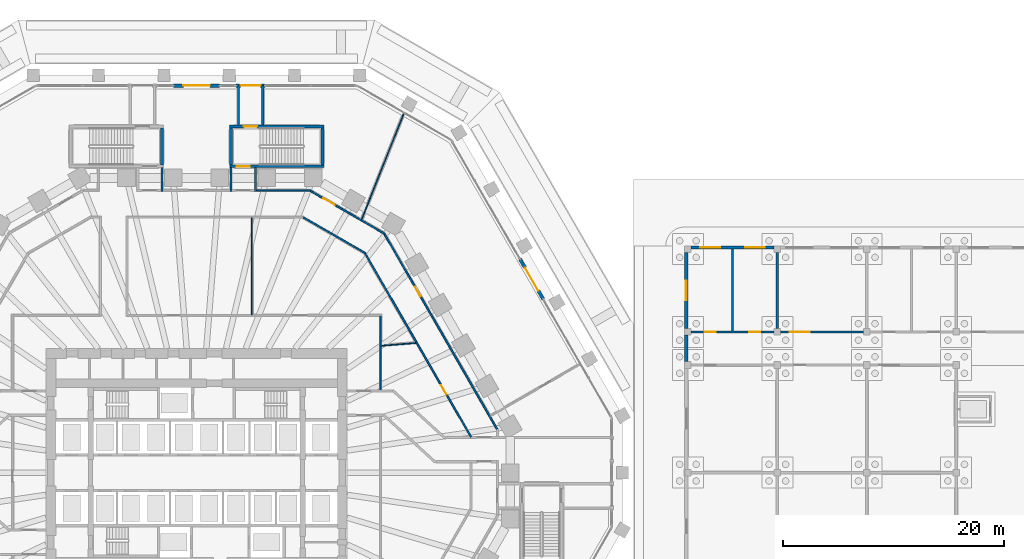
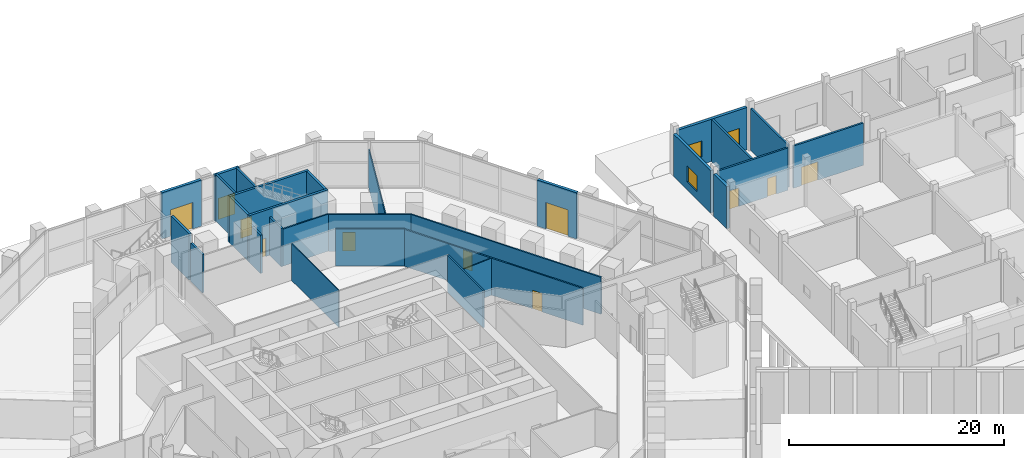
# One storey, part 25 of 44: 29 walls, 11 doors, 3 windows, 14 openings.
"""IFC4 building model written with IfcOpenShell, lengths in metres."""

from ifc_helpers import new_model, si_unit, direction, frame, frame_2d, origin, place, context, subcontext, project, spatial, rectangle, extrude, material, layer, layer_set, type_object, element, fill, save


model = new_model("IFC4")

# Units and contexts
model_context = context("Model", 3, precision=1e-05, world=origin(), true_north=direction((0.0, 1.0)))
body_context = subcontext(model_context, "Body", "Model", "MODEL_VIEW")
ifc_project = project(units=[si_unit("LENGTHUNIT", "METRE"), si_unit("AREAUNIT", "SQUARE_METRE"), si_unit("VOLUMEUNIT", "CUBIC_METRE"), si_unit("PLANEANGLEUNIT", "RADIAN"), si_unit("MASSUNIT", "GRAM", prefix="KILO")], contexts=[model_context])

# Site, building, storey
site_placement = place(None, origin())
site = spatial("IfcSite", under=ifc_project, at=site_placement, CompositionType="ELEMENT")
building_placement = place(site_placement, origin())
building = spatial("IfcBuilding", under=site, at=building_placement, Name="Frailejon Research Tower", CompositionType="ELEMENT")
storey_placement = place(building_placement, origin())
storey = spatial("IfcBuildingStorey", under=building, at=storey_placement, Name="L00", CompositionType="ELEMENT", Elevation=0.0)

# Wall
ifc_material_1 = material(Name="Gypsum board and masonry partition", Category="masonry")
ifc_layer_1 = layer(ifc_material_1, 0.14990234375)
ifc_layer_set_1 = layer_set([ifc_layer_1], Name="Corridor wall EI 60, gypsum on steel studs 150")
wall_type_1 = type_object("IfcWallType", Name="Corridor wall EI 60, gypsum on steel studs 150", PredefinedType="PARTITIONING", material=ifc_layer_set_1)
wall_1_placement = place(storey_placement, frame((16.64990234375, 7.5, 0.0), z_axis=(0.0, 0.0, 1.0), x_axis=(0.0, 1.0, 0.0)))
element("IfcWall", 1, at=wall_1_placement, inside=storey, type_object=wall_type_1, Name="T:IW:L00:002", PredefinedType="PARTITIONING", context=body_context, shape_type="SweptSolid", body=[
    extrude(rectangle(XDim=6.675048828125, YDim=0.14990234375, at=frame_2d((3.33740234375, 0.0))), origin(), (0.0, 0.0, 1.0), 4.199951171875),
])

# Wall, opening, door
wall_2_placement = place(storey_placement, frame((17.028564453125, 21.605712890625, 0.0), z_axis=(0.0, 0.0, 1.0), x_axis=(0.499999139641, -0.866025900512, 0.0)))
wall_2 = element("IfcWall", 2, at=wall_2_placement, inside=storey, type_object=wall_type_1, Name="T:IW:L00:008", PredefinedType="PARTITIONING", context=body_context, shape_type="SweptSolid", body=[
    extrude(rectangle(XDim=20.3935546875, YDim=0.14990234375, at=frame_2d((10.19677734375, 0.0))), origin(), (0.0, 0.0, 1.0), 4.199951171875),
])
opening_1_placement = place(wall_2_placement, frame((5.5078125, 0.0, 0.0)))
opening_1 = element("IfcOpeningElement", 3, at=opening_1_placement, cuts=wall_2, Name="Opening D1003", PredefinedType="OPENING", context=body_context, shape_type="SweptSolid", body=[
    extrude(rectangle(XDim=1.0, YDim=2.10009765625, at=frame_2d((0.5, 1.050048828125))), frame((0.0, 0.0849609375, 0.0), z_axis=(0.0, -1.0, 0.0), x_axis=(1.0, 0.0, 0.0)), (0.0, 0.0, 1.0), 0.169921875),
])
ifc_material_2 = material(Name="Timber door leaf", Category="wood")
door_type_1 = type_object("IfcDoorType", Name="Door single leaf, timber, steel frame 1000", OperationType="NOTDEFINED", PredefinedType="DOOR", material=ifc_material_2)
door_1_placement = place(opening_1_placement, origin())
door_1 = element("IfcDoor", 4, at=door_1_placement, inside=storey, type_object=door_type_1, Name="D1003", OperationType="SINGLE_SWING_RIGHT", OverallHeight=2.10009765625, OverallWidth=1.0, PredefinedType="DOOR", context=body_context, shape_type="SweptSolid", body=[
    extrude(rectangle(XDim=1.0, YDim=2.10009765625, at=frame_2d((0.5, 1.050048828125))), frame((0.0, 0.02490234375, 0.0), z_axis=(0.0, -1.0, 0.0), x_axis=(1.0, 0.0, 0.0)), (0.0, 0.0, 1.0), 0.050048828125),
])
fill(opening_1, door_1)

wall_3_placement = place(storey_placement, frame((15.271728515625, 19.8486328125, 0.0), z_axis=(0.0, 0.0, 1.0), x_axis=(0.499997883582, -0.866026625696, 0.0)))
wall_3 = element("IfcWall", 5, at=wall_3_placement, inside=storey, type_object=wall_type_1, Name="T:IW:L00:011", PredefinedType="PARTITIONING", context=body_context, shape_type="SweptSolid", body=[
    extrude(rectangle(XDim=19.18212890625, YDim=0.14990234375, at=frame_2d((9.591064453125, 0.0))), origin(), (0.0, 0.0, 1.0), 4.199951171875),
])
opening_2_placement = place(wall_3_placement, frame((13.76611328125, 0.0, 0.0)))
opening_2 = element("IfcOpeningElement", 6, at=opening_2_placement, cuts=wall_3, Name="Opening D1002", PredefinedType="OPENING", context=body_context, shape_type="SweptSolid", body=[
    extrude(rectangle(XDim=1.0, YDim=2.10009765625, at=frame_2d((0.5, 1.050048828125))), frame((0.0, 0.0849609375, 0.0), z_axis=(0.0, -1.0, 0.0), x_axis=(1.0, 0.0, 0.0)), (0.0, 0.0, 1.0), 0.169921875),
])
door_2_placement = place(opening_2_placement, origin())
door_2 = element("IfcDoor", 7, at=door_2_placement, inside=storey, type_object=door_type_1, Name="D1002", OperationType="SINGLE_SWING_RIGHT", OverallHeight=2.10009765625, OverallWidth=1.0, PredefinedType="DOOR", context=body_context, shape_type="SweptSolid", body=[
    extrude(rectangle(XDim=1.0, YDim=2.10009765625, at=frame_2d((0.5, 1.050048828125))), frame((0.0, 0.02490234375, 0.0), z_axis=(0.0, -1.0, 0.0), x_axis=(1.0, 0.0, 0.0)), (0.0, 0.0, 1.0), 0.050048828125),
])
fill(opening_2, door_2)

wall_4_placement = place(storey_placement, frame((10.336669921875, 25.512451171875, 0.0), z_axis=(0.0, 0.0, 1.0), x_axis=(0.866023143435, -0.50000391502, 0.0)))
wall_4 = element("IfcWall", 8, at=wall_4_placement, inside=storey, type_object=wall_type_1, Name="T:IW:L00:012", PredefinedType="PARTITIONING", context=body_context, shape_type="SweptSolid", body=[
    extrude(rectangle(XDim=7.7587890625, YDim=0.14990234375, at=frame_2d((3.87939453125, 0.0))), origin(), (0.0, 0.0, 1.0), 4.199951171875),
])
opening_3_placement = place(wall_4_placement, frame((1.31884765625, 0.0, 0.0)))
opening_3 = element("IfcOpeningElement", 9, at=opening_3_placement, cuts=wall_4, Name="Opening D1005", PredefinedType="OPENING", context=body_context, shape_type="SweptSolid", body=[
    extrude(rectangle(XDim=1.199951171875, YDim=2.10009765625, at=frame_2d((0.60009765625, 1.050048828125))), frame((0.0, 0.0849609375, 0.0), z_axis=(0.0, -1.0, 0.0), x_axis=(1.0, 0.0, 0.0)), (0.0, 0.0, 1.0), 0.169921875),
])
ifc_material_3 = material(Name="Timber door leaf", Category="wood")
door_type_2 = type_object("IfcDoorType", Name="Door single leaf, timber, steel frame 1200", OperationType="NOTDEFINED", PredefinedType="DOOR", material=ifc_material_3)
door_3_placement = place(opening_3_placement, origin())
door_3 = element("IfcDoor", 10, at=door_3_placement, inside=storey, type_object=door_type_2, Name="D1005", OperationType="DOUBLE_DOOR_SINGLE_SWING", OverallHeight=2.10009765625, OverallWidth=1.199951171875, PredefinedType="DOOR", context=body_context, shape_type="SweptSolid", body=[
    extrude(rectangle(XDim=1.199951171875, YDim=2.10009765625, at=frame_2d((0.60009765625, 1.050048828125))), frame((0.0, 0.02490234375, 0.0), z_axis=(0.0, -1.0, 0.0), x_axis=(1.0, 0.0, 0.0)), (0.0, 0.0, 1.0), 0.050048828125),
])
fill(opening_3, door_3)

# Walls
wall_5_placement = place(storey_placement, frame((9.693603515625, 23.112548828125, 0.0), z_axis=(0.0, 0.0, 1.0), x_axis=(0.866024786089, -0.500001069878, 0.0)))
element("IfcWall", 11, at=wall_5_placement, inside=storey, type_object=wall_type_1, Name="T:IW:L00:013", PredefinedType="PARTITIONING", context=body_context, shape_type="SweptSolid", body=[
    extrude(rectangle(XDim=6.47265625, YDim=0.14990234375, at=frame_2d((3.236328125, 0.0))), origin(), (0.0, 0.0, 1.0), 4.199951171875),
])
wall_6_placement = place(storey_placement, frame((5.431884765625, 25.550048828125, 0.0), z_axis=(0.0, 0.0, 1.0), x_axis=(1.0, 0.0, 0.0)))
element("IfcWall", 12, at=wall_6_placement, inside=storey, type_object=wall_type_1, Name="T:IW:L00:018", PredefinedType="PARTITIONING", context=body_context, shape_type="SweptSolid", body=[
    extrude(rectangle(XDim=4.914794921875, YDim=0.14990234375, at=frame_2d((2.45751953125, 0.0))), origin(), (0.0, 0.0, 1.0), 4.199951171875),
])
ifc_material_4 = material(Name="Gypsum board and masonry partition", Category="masonry")
ifc_layer_2 = layer(ifc_material_4, 0.199951171875)
ifc_layer_set_2 = layer_set([ifc_layer_2], Name="Enclosure wall EI 120, blockwork 200")
wall_type_2 = type_object("IfcWallType", Name="Enclosure wall EI 120, blockwork 200", PredefinedType="PARTITIONING", material=ifc_layer_set_2)
wall_7_placement = place(storey_placement, frame((5.33203125, 25.47509765625, 0.0), z_axis=(0.0, 0.0, 1.0), x_axis=(0.0, 1.0, 0.0)))
element("IfcWall", 13, at=wall_7_placement, inside=storey, type_object=wall_type_2, Name="T:IW:L00:070", PredefinedType="PARTITIONING", context=body_context, shape_type="SweptSolid", body=[
    extrude(rectangle(XDim=2.14990234375, YDim=0.199951171875, at=frame_2d((1.074951171875, 0.0))), origin(), (0.0, 0.0, 1.0), 4.35009765625),
])
wall_8_placement = place(storey_placement, frame((5.9970703125, 31.47509765625, 0.0), z_axis=(0.0, 0.0, 1.0), x_axis=(0.0, 1.0, 0.0)))
element("IfcWall", 14, at=wall_8_placement, inside=storey, type_object=wall_type_2, Name="T:IW:L00:072", PredefinedType="PARTITIONING", context=body_context, shape_type="SweptSolid", body=[
    extrude(rectangle(XDim=3.574951171875, YDim=0.199951171875, at=frame_2d((1.78759765625, 0.0))), origin(), (0.0, 0.0, 1.0), 5.25),
])
for number, where, z_axis, x_axis, name in (
    (15, (-3.132080078125, 25.47509765625, 0.0), (0.0, 0.0, 1.0), (0.0, 1.0, 0.0), "T:IW:L00:084"),
    (16, (3.132080078125, 25.47509765625, 0.0), (0.0, 0.0, 1.0), (0.0, 1.0, 0.0), "T:IW:L00:088"),
):
    element("IfcWall", number, at=place(storey_placement, frame(where, z_axis=z_axis, x_axis=x_axis)), inside=storey, type_object=wall_type_2, Name=name, PredefinedType="PARTITIONING", context=body_context, shape_type="SweptSolid", body=[
        extrude(rectangle(XDim=2.14990234375, YDim=0.199951171875, at=frame_2d((1.074951171875, 0.0))), origin(), (0.0, 0.0, 1.0), 4.35009765625),
    ])
wall_9_placement = place(storey_placement, frame((3.797119140625, 31.47509765625, 0.0), z_axis=(0.0, 0.0, 1.0), x_axis=(0.0, 1.0, 0.0)))
element("IfcWall", 17, at=wall_9_placement, inside=storey, type_object=wall_type_2, Name="T:IW:L00:090", PredefinedType="PARTITIONING", context=body_context, shape_type="SweptSolid", body=[
    extrude(rectangle(XDim=3.574951171875, YDim=0.199951171875, at=frame_2d((1.78759765625, 0.0))), origin(), (0.0, 0.0, 1.0), 5.25),
])
ifc_material_5 = material(Name="Insulated masonry cavity wall", Category="masonry")
ifc_layer_3 = layer(ifc_material_5, 0.300048828125)
ifc_layer_set_3 = layer_set([ifc_layer_3], Name="HC facade wall 300")
wall_type_3 = type_object("IfcWallType", Name="HC facade wall 300", PredefinedType="SOLIDWALL", material=ifc_layer_set_3)
wall_10_placement = place(storey_placement, frame((44.35009765625, 10.050048828125, 0.0), z_axis=(0.0, 0.0, 1.0), x_axis=(0.0, 1.0, 0.0)))
element("IfcWall", 18, at=wall_10_placement, inside=storey, type_object=wall_type_3, Name="HC facade wall", PredefinedType="SOLIDWALL", context=body_context, shape_type="SweptSolid", body=[
    extrude(rectangle(XDim=2.39990234375, YDim=0.300048828125, at=frame_2d((1.199951171875, 0.0))), origin(), (0.0, 0.0, 1.0), 4.800048828125),
])

# Wall, opening, window
wall_11_placement = place(storey_placement, frame((44.35009765625, 13.050048828125, 0.0), z_axis=(0.0, 0.0, 1.0), x_axis=(0.0, 1.0, 0.0)))
wall_11 = element("IfcWall", 19, at=wall_11_placement, inside=storey, type_object=wall_type_3, Name="HC facade wall", PredefinedType="SOLIDWALL", context=body_context, shape_type="SweptSolid", body=[
    extrude(rectangle(XDim=6.89990234375, YDim=0.300048828125, at=frame_2d((3.449951171875, 0.0))), origin(), (0.0, 0.0, 1.0), 4.800048828125),
])
opening_4_placement = place(wall_11_placement, frame((2.550048828125, 0.0, 0.89990234375)))
opening_4 = element("IfcOpeningElement", 20, at=opening_4_placement, cuts=wall_11, Name="Opening HW015", PredefinedType="OPENING", context=body_context, shape_type="SweptSolid", body=[
    extrude(rectangle(XDim=1.800048828125, YDim=1.800048828125, at=frame_2d((0.89990234375, 0.89990234375))), frame((0.0, 0.159912109375, 0.0), z_axis=(0.0, -1.0, 0.0), x_axis=(1.0, 0.0, 0.0)), (0.0, 0.0, 1.0), 0.320068359375),
])
ifc_material_6 = material(Name="Aluminium framed double glazing", Category="aluminium")
window_type = type_object("IfcWindowType", Name="HC window 1800x1800", PartitioningType="SINGLE_PANEL", PredefinedType="WINDOW", material=ifc_material_6)
window_1_placement = place(opening_4_placement, origin())
window_1 = element("IfcWindow", 21, at=window_1_placement, inside=storey, type_object=window_type, Name="Window HW015 (HCW1)", OverallHeight=1.800048828125, OverallWidth=1.800048828125, PartitioningType="SINGLE_PANEL", PredefinedType="WINDOW", context=body_context, shape_type="SweptSolid", body=[
    extrude(rectangle(XDim=1.800048828125, YDim=1.800048828125, at=frame_2d((0.89990234375, 0.89990234375))), frame((0.0, 0.030029296875, 0.0), z_axis=(0.0, -1.0, 0.0), x_axis=(1.0, 0.0, 0.0)), (0.0, 0.0, 1.0), 0.06005859375),
])
fill(opening_4, window_1)

# Wall, openings, windows
wall_12_placement = place(storey_placement, frame((44.800048828125, 20.39990234375, 0.0), z_axis=(0.0, 0.0, 1.0), x_axis=(1.0, 0.0, 0.0)))
wall_12 = element("IfcWall", 22, at=wall_12_placement, inside=storey, type_object=wall_type_3, Name="HC facade wall", PredefinedType="SOLIDWALL", context=body_context, shape_type="SweptSolid", body=[
    extrude(rectangle(XDim=7.5, YDim=0.300048828125, at=frame_2d((3.75, 0.0))), origin(), (0.0, 0.0, 1.0), 4.800048828125),
])
opening_5_placement = place(wall_12_placement, frame((0.824951171875, 0.0, 0.89990234375)))
opening_5 = element("IfcOpeningElement", 23, at=opening_5_placement, cuts=wall_12, Name="Opening HW014", PredefinedType="OPENING", context=body_context, shape_type="SweptSolid", body=[
    extrude(rectangle(XDim=1.800048828125, YDim=1.800048828125, at=frame_2d((0.89990234375, 0.89990234375))), frame((0.0, 0.159912109375, 0.0), z_axis=(0.0, -1.0, 0.0), x_axis=(1.0, 0.0, 0.0)), (0.0, 0.0, 1.0), 0.320068359375),
])
opening_6_placement = place(wall_12_placement, frame((4.875, 0.0, 0.89990234375)))
opening_6 = element("IfcOpeningElement", 24, at=opening_6_placement, cuts=wall_12, Name="Opening HW016", PredefinedType="OPENING", context=body_context, shape_type="SweptSolid", body=[
    extrude(rectangle(XDim=1.800048828125, YDim=1.800048828125, at=frame_2d((0.89990234375, 0.89990234375))), frame((0.0, 0.159912109375, 0.0), z_axis=(0.0, -1.0, 0.0), x_axis=(1.0, 0.0, 0.0)), (0.0, 0.0, 1.0), 0.320068359375),
])
window_2_placement = place(opening_5_placement, origin())
window_2 = element("IfcWindow", 25, at=window_2_placement, inside=storey, type_object=window_type, Name="Window HW014 (HCW1)", OverallHeight=1.800048828125, OverallWidth=1.800048828125, PartitioningType="SINGLE_PANEL", PredefinedType="WINDOW", context=body_context, shape_type="SweptSolid", body=[
    extrude(rectangle(XDim=1.800048828125, YDim=1.800048828125, at=frame_2d((0.89990234375, 0.89990234375))), frame((0.0, 0.030029296875, 0.0), z_axis=(0.0, -1.0, 0.0), x_axis=(1.0, 0.0, 0.0)), (0.0, 0.0, 1.0), 0.06005859375),
])
fill(opening_5, window_2)
window_3_placement = place(opening_6_placement, origin())
window_3 = element("IfcWindow", 26, at=window_3_placement, inside=storey, type_object=window_type, Name="Window HW016 (HCW1)", OverallHeight=1.800048828125, OverallWidth=1.800048828125, PartitioningType="SINGLE_PANEL", PredefinedType="WINDOW", context=body_context, shape_type="SweptSolid", body=[
    extrude(rectangle(XDim=1.800048828125, YDim=1.800048828125, at=frame_2d((0.89990234375, 0.89990234375))), frame((0.0, 0.030029296875, 0.0), z_axis=(0.0, -1.0, 0.0), x_axis=(1.0, 0.0, 0.0)), (0.0, 0.0, 1.0), 0.06005859375),
])
fill(opening_6, window_3)

# Walls
ifc_material_7 = material(Name="Masonry blockwork partition", Category="masonry")
ifc_layer_4 = layer(ifc_material_7, 0.199951171875)
ifc_layer_set_4 = layer_set([ifc_layer_4], Name="HC partition 200")
wall_type_4 = type_object("IfcWallType", Name="HC partition 200", PredefinedType="PARTITIONING", material=ifc_layer_set_4)
wall_13_placement = place(storey_placement, frame((48.550048828125, 12.85009765625, 0.0), z_axis=(0.0, 0.0, 1.0), x_axis=(0.0, 1.0, 0.0)))
element("IfcWall", 27, at=wall_13_placement, inside=storey, type_object=wall_type_4, Name="HC partition", PredefinedType="PARTITIONING", context=body_context, shape_type="SweptSolid", body=[
    extrude(rectangle(XDim=7.39990234375, YDim=0.199951171875, at=frame_2d((3.699951171875, 0.0))), origin(), (0.0, 0.0, 1.0), 4.800048828125),
])
wall_14_placement = place(storey_placement, frame((52.60009765625, 13.050048828125, 0.0), z_axis=(0.0, 0.0, 1.0), x_axis=(0.0, 1.0, 0.0)))
element("IfcWall", 28, at=wall_14_placement, inside=storey, type_object=wall_type_4, Name="HC partition", PredefinedType="PARTITIONING", context=body_context, shape_type="SweptSolid", body=[
    extrude(rectangle(XDim=6.89990234375, YDim=0.199951171875, at=frame_2d((3.449951171875, 0.0))), origin(), (0.0, 0.0, 1.0), 4.800048828125),
])

# Wall, openings, doors
wall_15_placement = place(storey_placement, frame((44.800048828125, 12.75, 0.0), z_axis=(0.0, 0.0, 1.0), x_axis=(1.0, 0.0, 0.0)))
wall_15 = element("IfcWall", 29, at=wall_15_placement, inside=storey, type_object=wall_type_4, Name="HC partition", PredefinedType="PARTITIONING", context=body_context, shape_type="SweptSolid", body=[
    extrude(rectangle(XDim=7.5, YDim=0.199951171875, at=frame_2d((3.75, 0.0))), origin(), (0.0, 0.0, 1.0), 4.800048828125),
])
opening_7_placement = place(wall_15_placement, frame((1.22509765625, 0.0, 0.0)))
opening_7 = element("IfcOpeningElement", 30, at=opening_7_placement, cuts=wall_15, Name="Opening HD022", PredefinedType="OPENING", context=body_context, shape_type="SweptSolid", body=[
    extrude(rectangle(XDim=1.0, YDim=2.10009765625, at=frame_2d((0.5, 1.050048828125))), frame((0.0, 0.10986328125, 0.0), z_axis=(0.0, -1.0, 0.0), x_axis=(1.0, 0.0, 0.0)), (0.0, 0.0, 1.0), 0.219970703125),
])
opening_8_placement = place(wall_15_placement, frame((5.27490234375, 0.0, 0.0)))
opening_8 = element("IfcOpeningElement", 31, at=opening_8_placement, cuts=wall_15, Name="Opening HD023", PredefinedType="OPENING", context=body_context, shape_type="SweptSolid", body=[
    extrude(rectangle(XDim=1.0, YDim=2.10009765625, at=frame_2d((0.5, 1.050048828125))), frame((0.0, 0.10986328125, 0.0), z_axis=(0.0, -1.0, 0.0), x_axis=(1.0, 0.0, 0.0)), (0.0, 0.0, 1.0), 0.219970703125),
])
ifc_material_8 = material(Name="Timber veneered fire door leaf", Category="wood")
door_type_3 = type_object("IfcDoorType", Name="HC door 1000 left", OperationType="SINGLE_SWING_LEFT", PredefinedType="DOOR", material=ifc_material_8)
door_4_placement = place(opening_7_placement, origin())
door_4 = element("IfcDoor", 32, at=door_4_placement, inside=storey, type_object=door_type_3, Name="Door HD022", OperationType="SINGLE_SWING_LEFT", OverallHeight=2.10009765625, OverallWidth=1.0, PredefinedType="DOOR", context=body_context, shape_type="SweptSolid", body=[
    extrude(rectangle(XDim=1.0, YDim=2.10009765625, at=frame_2d((0.5, 1.050048828125))), frame((0.0, 0.02490234375, 0.0), z_axis=(0.0, -1.0, 0.0), x_axis=(1.0, 0.0, 0.0)), (0.0, 0.0, 1.0), 0.050048828125),
])
fill(opening_7, door_4)
ifc_material_9 = material(Name="Timber veneered fire door leaf", Category="wood")
door_type_4 = type_object("IfcDoorType", Name="HC door 1000 right", OperationType="SINGLE_SWING_RIGHT", PredefinedType="DOOR", material=ifc_material_9)
door_5_placement = place(opening_8_placement, origin())
door_5 = element("IfcDoor", 33, at=door_5_placement, inside=storey, type_object=door_type_4, Name="Door HD023", OperationType="SINGLE_SWING_RIGHT", OverallHeight=2.10009765625, OverallWidth=1.0, PredefinedType="DOOR", context=body_context, shape_type="SweptSolid", body=[
    extrude(rectangle(XDim=1.0, YDim=2.10009765625, at=frame_2d((0.5, 1.050048828125))), frame((0.0, 0.02490234375, 0.0), z_axis=(0.0, -1.0, 0.0), x_axis=(1.0, 0.0, 0.0)), (0.0, 0.0, 1.0), 0.050048828125),
])
fill(opening_8, door_5)

# Wall, opening, door
wall_16_placement = place(storey_placement, frame((52.89990234375, 12.75, 0.0), z_axis=(0.0, 0.0, 1.0), x_axis=(1.0, 0.0, 0.0)))
wall_16 = element("IfcWall", 34, at=wall_16_placement, inside=storey, type_object=wall_type_4, Name="HC partition", PredefinedType="PARTITIONING", context=body_context, shape_type="SweptSolid", body=[
    extrude(rectangle(XDim=7.5, YDim=0.199951171875, at=frame_2d((3.75, 0.0))), origin(), (0.0, 0.0, 1.0), 4.800048828125),
])
opening_9_placement = place(wall_16_placement, frame((0.824951171875, 0.0, 0.0)))
opening_9 = element("IfcOpeningElement", 35, at=opening_9_placement, cuts=wall_16, Name="Opening HD024", PredefinedType="OPENING", context=body_context, shape_type="SweptSolid", body=[
    extrude(rectangle(XDim=1.800048828125, YDim=2.10009765625, at=frame_2d((0.89990234375, 1.050048828125))), frame((0.0, 0.10986328125, 0.0), z_axis=(0.0, -1.0, 0.0), x_axis=(1.0, 0.0, 0.0)), (0.0, 0.0, 1.0), 0.219970703125),
])
ifc_material_10 = material(Name="Timber veneered fire door leaf", Category="wood")
door_type_5 = type_object("IfcDoorType", Name="HC double door 1800", OperationType="DOUBLE_DOOR_SINGLE_SWING", PredefinedType="DOOR", material=ifc_material_10)
door_6_placement = place(opening_9_placement, origin())
door_6 = element("IfcDoor", 36, at=door_6_placement, inside=storey, type_object=door_type_5, Name="Door HD024", OperationType="DOUBLE_DOOR_SINGLE_SWING", OverallHeight=2.10009765625, OverallWidth=1.800048828125, PredefinedType="DOOR", context=body_context, shape_type="SweptSolid", body=[
    extrude(rectangle(XDim=1.800048828125, YDim=2.10009765625, at=frame_2d((0.89990234375, 1.050048828125))), frame((0.0, 0.02490234375, 0.0), z_axis=(0.0, -1.0, 0.0), x_axis=(1.0, 0.0, 0.0)), (0.0, 0.0, 1.0), 0.050048828125),
])
fill(opening_9, door_6)

# Walls
ifc_material_11 = material(Name="Gypsum board and masonry partition", Category="masonry")
ifc_layer_5 = layer(ifc_material_11, 0.10009765625)
ifc_layer_set_5 = layer_set([ifc_layer_5], Name="Partition, gypsum on steel studs 100")
wall_type_5 = type_object("IfcWallType", Name="Partition, gypsum on steel studs 100", PredefinedType="PARTITIONING", material=ifc_layer_set_5)
wall_17_placement = place(storey_placement, frame((16.724853515625, 11.494873046875, 0.0), z_axis=(0.0, 0.0, 1.0), x_axis=(0.996841045422, 0.079422478949, 0.0)))
element("IfcWall", 37, at=wall_17_placement, inside=storey, type_object=wall_type_5, Name="T:IW:L00:092", PredefinedType="PARTITIONING", context=body_context, shape_type="SweptSolid", body=[
    extrude(rectangle(XDim=3.156982421875, YDim=0.10009765625, at=frame_2d((1.57861328125, 0.0))), origin(), (0.0, 0.0, 1.0), 4.199951171875),
])
wall_18_placement = place(storey_placement, frame((14.9580078125, 22.929931640625, 0.0), z_axis=(0.0, 0.0, 1.0), x_axis=(0.368760134438, 0.929524589911, 0.0)))
element("IfcWall", 38, at=wall_18_placement, inside=storey, type_object=wall_type_5, Name="T:IW:L00:093", PredefinedType="PARTITIONING", context=body_context, shape_type="SweptSolid", body=[
    extrude(rectangle(XDim=10.39111328125, YDim=0.10009765625, at=frame_2d((5.195556640625, 0.0))), origin(), (0.0, 0.0, 1.0), 4.35009765625),
])
wall_19_placement = place(storey_placement, frame((5.010986328125, 14.324951171875, 0.0), z_axis=(0.0, 0.0, 1.0), x_axis=(0.0, 1.0, 0.0)))
element("IfcWall", 39, at=wall_19_placement, inside=storey, type_object=wall_type_5, Name="T:IW:L00:094", PredefinedType="PARTITIONING", context=body_context, shape_type="SweptSolid", body=[
    extrude(rectangle(XDim=8.75, YDim=0.10009765625, at=frame_2d((4.375, 0.0))), origin(), (0.0, 0.0, 1.0), 4.199951171875),
])

# Wall, opening, door
ifc_material_12 = material(Name="Concrete C40/50 precast entrance pier", Category="concrete")
ifc_layer_6 = layer(ifc_material_12, 0.300048828125)
ifc_layer_set_6 = layer_set([ifc_layer_6], Name="Podium entrance wall 300")
wall_type_6 = type_object("IfcWallType", Name="Podium entrance wall 300", PredefinedType="SOLIDWALL", material=ifc_layer_set_6)
wall_20_placement = place(storey_placement, frame((31.404296875, 15.706298828125, 0.0), z_axis=(0.0, 0.0, 1.0), x_axis=(-0.500002543286, 0.866023935413, 0.0)))
wall_20 = element("IfcWall", 40, at=wall_20_placement, inside=storey, type_object=wall_type_6, Name="Entrance pier L00", PredefinedType="SOLIDWALL", context=body_context, shape_type="SweptSolid", body=[
    extrude(rectangle(XDim=4.2001953125, YDim=0.300048828125, at=frame_2d((2.10009765625, 0.0))), origin(), (0.0, 0.0, 1.0), 5.25),
])
opening_10_placement = place(wall_20_placement, frame((0.89990234375, 0.0, 0.0)))
opening_10 = element("IfcOpeningElement", 41, at=opening_10_placement, cuts=wall_20, Name="Opening EN-1", PredefinedType="OPENING", context=body_context, shape_type="SweptSolid", body=[
    extrude(rectangle(XDim=2.39990234375, YDim=3.0, at=frame_2d((1.199951171875, 1.5))), frame((0.0, 0.159912109375, 0.0), z_axis=(0.0, -1.0, 0.0), x_axis=(1.0, 0.0, 0.0)), (0.0, 0.0, 1.0), 0.320068359375),
])
ifc_material_13 = material(Name="Aluminium framed glazed door leaf", Category="aluminium")
door_type_6 = type_object("IfcDoorType", Name="Entrance door 2400x3000", OperationType="DOUBLE_DOOR_SINGLE_SWING", PredefinedType="DOOR", material=ifc_material_13)
door_7_placement = place(opening_10_placement, origin())
door_7 = element("IfcDoor", 42, at=door_7_placement, inside=storey, type_object=door_type_6, Name="Door EN-1", OperationType="DOUBLE_DOOR_SINGLE_SWING", OverallHeight=3.0, OverallWidth=2.39990234375, PredefinedType="DOOR", context=body_context, shape_type="SweptSolid", body=[
    extrude(rectangle(XDim=2.39990234375, YDim=3.0, at=frame_2d((1.199951171875, 1.5))), frame((0.0, 0.02490234375, 0.0), z_axis=(0.0, -1.0, 0.0), x_axis=(1.0, 0.0, 0.0)), (0.0, 0.0, 1.0), 0.050048828125),
])
fill(opening_10, door_7)

wall_21_placement = place(storey_placement, frame((2.10009765625, 35.050048828125, 0.0), z_axis=(0.0, 0.0, 1.0), x_axis=(-1.0, 0.0, 0.0)))
wall_21 = element("IfcWall", 43, at=wall_21_placement, inside=storey, type_object=wall_type_6, Name="Entrance pier L00", PredefinedType="SOLIDWALL", context=body_context, shape_type="SweptSolid", body=[
    extrude(rectangle(XDim=4.2001953125, YDim=0.300048828125, at=frame_2d((2.10009765625, 0.0))), origin(), (0.0, 0.0, 1.0), 5.25),
])
opening_11_placement = place(wall_21_placement, frame((0.89990234375, 0.0, 0.0)))
opening_11 = element("IfcOpeningElement", 44, at=opening_11_placement, cuts=wall_21, Name="Opening EN-2", PredefinedType="OPENING", context=body_context, shape_type="SweptSolid", body=[
    extrude(rectangle(XDim=2.39990234375, YDim=3.0, at=frame_2d((1.199951171875, 1.5))), frame((0.0, 0.159912109375, 0.0), z_axis=(0.0, -1.0, 0.0), x_axis=(1.0, 0.0, 0.0)), (0.0, 0.0, 1.0), 0.320068359375),
])
door_8_placement = place(opening_11_placement, origin())
door_8 = element("IfcDoor", 45, at=door_8_placement, inside=storey, type_object=door_type_6, Name="Door EN-2", OperationType="DOUBLE_DOOR_SINGLE_SWING", OverallHeight=3.0, OverallWidth=2.39990234375, PredefinedType="DOOR", context=body_context, shape_type="SweptSolid", body=[
    extrude(rectangle(XDim=2.39990234375, YDim=3.0, at=frame_2d((1.199951171875, 1.5))), frame((0.0, 0.02490234375, 0.0), z_axis=(0.0, -1.0, 0.0), x_axis=(1.0, 0.0, 0.0)), (0.0, 0.0, 1.0), 0.050048828125),
])
fill(opening_11, door_8)

ifc_material_14 = material(Name="Concrete C40/50 precast exit pier", Category="concrete")
ifc_layer_7 = layer(ifc_material_14, 0.300048828125)
ifc_layer_set_7 = layer_set([ifc_layer_7], Name="Podium exit wall 300")
wall_type_7 = type_object("IfcWallType", Name="Podium exit wall 300", PredefinedType="SOLIDWALL", material=ifc_layer_set_7)
wall_22_placement = place(storey_placement, frame((6.197021484375, 35.050048828125, 0.0), z_axis=(0.0, 0.0, 1.0), x_axis=(-1.0, 0.0, 0.0)))
wall_22 = element("IfcWall", 46, at=wall_22_placement, inside=storey, type_object=wall_type_7, Name="Exit pier L00", PredefinedType="SOLIDWALL", context=body_context, shape_type="SweptSolid", body=[
    extrude(rectangle(XDim=2.60009765625, YDim=0.300048828125, at=frame_2d((1.300048828125, 0.0))), origin(), (0.0, 0.0, 1.0), 5.25),
])
opening_12_placement = place(wall_22_placement, frame((2.199951171875, 0.0, 0.0), z_axis=(0.0, 0.0, 1.0), x_axis=(-1.0, 0.0, 0.0)))
opening_12 = element("IfcOpeningElement", 47, at=opening_12_placement, cuts=wall_22, Name="Opening FE-5", PredefinedType="OPENING", context=body_context, shape_type="SweptSolid", body=[
    extrude(rectangle(XDim=1.800048828125, YDim=2.39990234375, at=frame_2d((0.89990234375, 1.199951171875))), frame((0.0, 0.159912109375, 0.0), z_axis=(0.0, -1.0, 0.0), x_axis=(1.0, 0.0, 0.0)), (0.0, 0.0, 1.0), 0.320068359375),
])
ifc_material_15 = material(Name="Aluminium framed glazed door leaf", Category="aluminium")
door_type_7 = type_object("IfcDoorType", Name="Final exit door 1800x2400", OperationType="DOUBLE_DOOR_SINGLE_SWING", PredefinedType="DOOR", material=ifc_material_15)
door_9_placement = place(opening_12_placement, origin())
door_9 = element("IfcDoor", 48, at=door_9_placement, inside=storey, type_object=door_type_7, Name="Door FE-5", OperationType="DOUBLE_DOOR_SINGLE_SWING", OverallHeight=2.39990234375, OverallWidth=1.800048828125, PredefinedType="DOOR", context=body_context, shape_type="SweptSolid", body=[
    extrude(rectangle(XDim=1.800048828125, YDim=2.39990234375, at=frame_2d((0.89990234375, 1.199951171875))), frame((0.0, 0.02490234375, 0.0), z_axis=(0.0, -1.0, 0.0), x_axis=(1.0, 0.0, 0.0)), (0.0, 0.0, 1.0), 0.050048828125),
])
fill(opening_12, door_9)

ifc_material_16 = material(Name="Concrete C50/60", Category="concrete")
ifc_layer_8 = layer(ifc_material_16, 0.25)
ifc_layer_set_8 = layer_set([ifc_layer_8], Name="Stair enclosure wall EI 120, Concrete C50/60 250")
wall_type_8 = type_object("IfcWallType", Name="Stair enclosure wall EI 120, Concrete C50/60 250", PredefinedType="SOLIDWALL", material=ifc_layer_set_8)
wall_23_placement = place(storey_placement, frame((3.007080078125, 31.35009765625, 0.0), z_axis=(0.0, 0.0, 1.0), x_axis=(1.0, 0.0, 0.0)))
wall_23 = element("IfcWall", 49, at=wall_23_placement, inside=storey, type_object=wall_type_8, Name="T:IW:L00:105", PredefinedType="SOLIDWALL", context=body_context, shape_type="SweptSolid", body=[
    extrude(rectangle(XDim=8.519775390625, YDim=0.25, at=frame_2d((4.259765625, 0.0))), origin(), (0.0, 0.0, 1.0), 5.25),
])
opening_13_placement = place(wall_23_placement, frame((1.2900390625, 0.0, 0.0)))
opening_13 = element("IfcOpeningElement", 50, at=opening_13_placement, cuts=wall_23, Name="Opening PSD06", PredefinedType="OPENING", context=body_context, shape_type="SweptSolid", body=[
    extrude(rectangle(XDim=1.199951171875, YDim=2.10009765625, at=frame_2d((0.60009765625, 1.050048828125))), frame((0.0, 0.135009765625, 0.0), z_axis=(0.0, -1.0, 0.0), x_axis=(1.0, 0.0, 0.0)), (0.0, 0.0, 1.0), 0.27001953125),
])
ifc_material_17 = material(Name="Steel door leaf", Category="steel")
door_type_8 = type_object("IfcDoorType", Name="Door exit passage, steel, fire rated 1200", OperationType="NOTDEFINED", PredefinedType="DOOR", material=ifc_material_17)
door_10_placement = place(opening_13_placement, origin())
door_10 = element("IfcDoor", 51, at=door_10_placement, inside=storey, type_object=door_type_8, Name="PSD06", OperationType="SINGLE_SWING_LEFT", OverallHeight=2.10009765625, OverallWidth=1.199951171875, PredefinedType="DOOR", context=body_context, shape_type="SweptSolid", body=[
    extrude(rectangle(XDim=1.199951171875, YDim=2.10009765625, at=frame_2d((0.60009765625, 1.050048828125))), frame((0.0, 0.02490234375, 0.0), z_axis=(0.0, -1.0, 0.0), x_axis=(1.0, 0.0, 0.0)), (0.0, 0.0, 1.0), 0.050048828125),
])
fill(opening_13, door_10)

# Wall
wall_24_placement = place(storey_placement, frame((-3.132080078125, 27.875, 0.0), z_axis=(0.0, 0.0, 1.0), x_axis=(0.0, 1.0, 0.0)))
element("IfcWall", 52, at=wall_24_placement, inside=storey, type_object=wall_type_8, Name="T:IW:L00:107", PredefinedType="SOLIDWALL", context=body_context, shape_type="SweptSolid", body=[
    extrude(rectangle(XDim=3.35009765625, YDim=0.25, at=frame_2d((1.675048828125, 0.0))), origin(), (0.0, 0.0, 1.0), 5.25),
])

# Wall, opening, door
wall_25_placement = place(storey_placement, frame((3.031982421875, 27.75, 0.0), z_axis=(0.0, 0.0, 1.0), x_axis=(1.0, 0.0, 0.0)))
wall_25 = element("IfcWall", 53, at=wall_25_placement, inside=storey, type_object=wall_type_8, Name="T:IW:L00:109", PredefinedType="SOLIDWALL", context=body_context, shape_type="SweptSolid", body=[
    extrude(rectangle(XDim=8.494873046875, YDim=0.25, at=frame_2d((4.24755859375, 0.0))), origin(), (0.0, 0.0, 1.0), 5.25),
])
opening_14_placement = place(wall_25_placement, frame((0.60009765625, 0.0, 0.0)))
opening_14 = element("IfcOpeningElement", 54, at=opening_14_placement, cuts=wall_25, Name="Opening PSD05", PredefinedType="OPENING", context=body_context, shape_type="SweptSolid", body=[
    extrude(rectangle(XDim=1.199951171875, YDim=2.10009765625, at=frame_2d((0.60009765625, 1.050048828125))), frame((0.0, 0.135009765625, 0.0), z_axis=(0.0, -1.0, 0.0), x_axis=(1.0, 0.0, 0.0)), (0.0, 0.0, 1.0), 0.27001953125),
])
door_11_placement = place(opening_14_placement, origin())
door_11 = element("IfcDoor", 55, at=door_11_placement, inside=storey, type_object=door_type_8, Name="PSD05", OperationType="SINGLE_SWING_RIGHT", OverallHeight=2.10009765625, OverallWidth=1.199951171875, PredefinedType="DOOR", context=body_context, shape_type="SweptSolid", body=[
    extrude(rectangle(XDim=1.199951171875, YDim=2.10009765625, at=frame_2d((0.60009765625, 1.050048828125))), frame((0.0, 0.02490234375, 0.0), z_axis=(0.0, -1.0, 0.0), x_axis=(1.0, 0.0, 0.0)), (0.0, 0.0, 1.0), 0.050048828125),
])
fill(opening_14, door_11)

# Walls
for number, where, z_axis, x_axis, name in (
    (56, (3.132080078125, 27.875, 0.0), (0.0, 0.0, 1.0), (0.0, 1.0, 0.0), "T:IW:L00:111"),
    (57, (11.40185546875, 27.875, 0.0), (0.0, 0.0, 1.0), (0.0, 1.0, 0.0), "T:IW:L00:113"),
):
    element("IfcWall", number, at=place(storey_placement, frame(where, z_axis=z_axis, x_axis=x_axis)), inside=storey, type_object=wall_type_8, Name=name, PredefinedType="SOLIDWALL", context=body_context, shape_type="SweptSolid", body=[
        extrude(rectangle(XDim=3.35009765625, YDim=0.25, at=frame_2d((1.675048828125, 0.0))), origin(), (0.0, 0.0, 1.0), 5.25),
    ])

save(model, "model.ifc")
